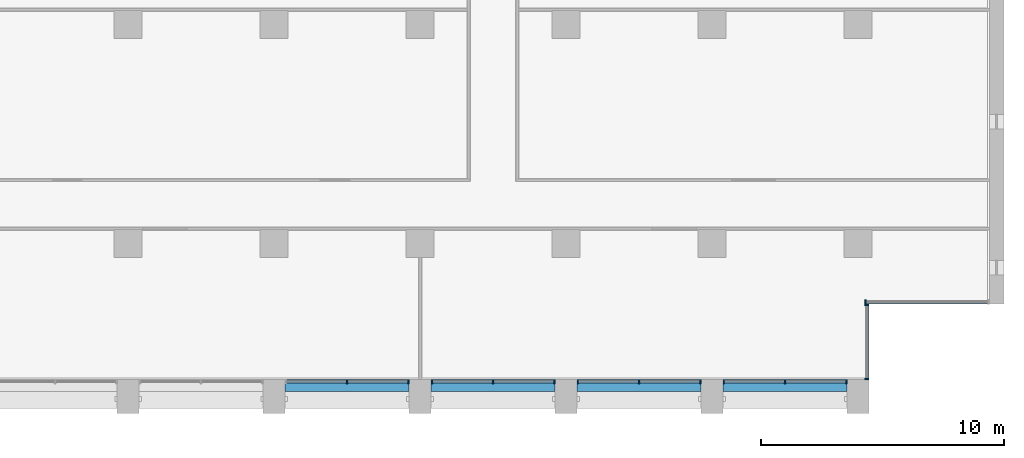
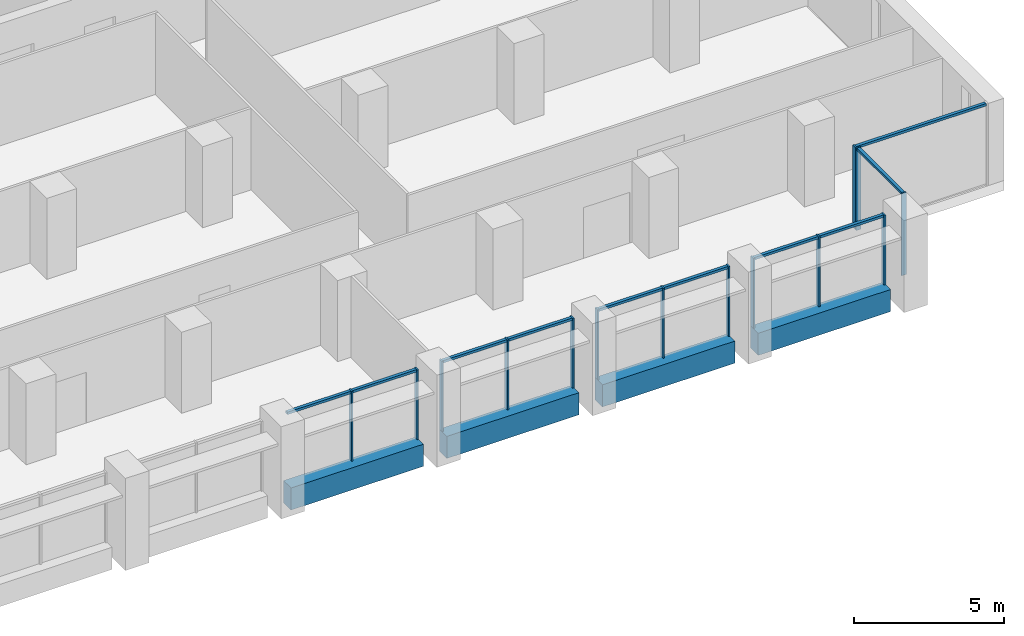
# One storey, part 3 of 16: 24 members, 4 beams, 6 elements without a shape of their own.
"""IFC4 building model written with IfcOpenShell, lengths in metres."""

from ifc_helpers import new_model, si_unit, direction, frame, origin, origin_2d, place, context, subcontext, project, spatial, rectangle, extrude, material, material_profile, profile_set, type_object, element, aggregate, save


model = new_model("IFC4")

# Units and contexts
model_context = context("Model", 3, precision=1e-05, world=origin(), true_north=direction((0.0, 1.0)))
body_context = subcontext(model_context, "Body", "Model", "MODEL_VIEW")
ifc_project = project(units=[si_unit("LENGTHUNIT", "METRE"), si_unit("AREAUNIT", "SQUARE_METRE"), si_unit("VOLUMEUNIT", "CUBIC_METRE"), si_unit("PLANEANGLEUNIT", "RADIAN"), si_unit("MASSUNIT", "GRAM", prefix="KILO")], contexts=[model_context])

# Site, building, storey
site_placement = place(None, origin())
site = spatial("IfcSite", under=ifc_project, at=site_placement, CompositionType="ELEMENT")
building_placement = place(site_placement, origin())
building = spatial("IfcBuilding", under=site, at=building_placement, Name="Calvaro Tower", CompositionType="ELEMENT")
storey_placement = place(building_placement, frame((0.0, 0.0, 181.75)))
storey = spatial("IfcBuildingStorey", under=building, at=storey_placement, Name="L45", CompositionType="ELEMENT", Elevation=181.75)

# Curtain wall, members
ifc_material_1 = material(Name="Anodised aluminium", Category="aluminium")
curtain_wall_type = type_object("IfcCurtainWallType", Name="Office curtain wall, upper zone", PredefinedType="NOTDEFINED", material=ifc_material_1)
curtain_wall_1_placement = place(storey_placement, origin())
curtain_wall_1 = element("IfcCurtainWall", 1, at=curtain_wall_1_placement, inside=storey, type_object=curtain_wall_type, Name="CW3 south curtain wall", PredefinedType="NOTDEFINED")
ifc_material_2 = material(Name="Anodised aluminium", Category="aluminium")
ifc_material_profile_1 = material_profile(ifc_material_2, rectangle(XDim=0.179931640625, YDim=0.06005859375, at=origin_2d()), Name="Mullion S3 60 x 180")
ifc_profile_set_1 = profile_set([ifc_material_profile_1], Name="Anodised aluminium")
member_type_1 = type_object("IfcMemberType", Name="Mullion S3 60 x 180", PredefinedType="MULLION", material=ifc_profile_set_1)
member_1_placement = place(storey_placement, frame((45.0, 4.31005859375, 0.0), z_axis=(0.0, 0.0, 1.0), x_axis=(0.0, 1.0, 0.0)))
member_1 = element("IfcMember", 2, at=member_1_placement, type_object=member_type_1, Name="CW3 mullion 2", PredefinedType="MULLION", context=body_context, shape_type="SweptSolid", body=[
    extrude(rectangle(XDim=0.179931640625, YDim=0.06005859375, at=origin_2d()), origin(), (0.0, 0.0, 1.0), 2.85009765625),
])
member_2_placement = place(storey_placement, frame((47.52001953125, 4.31005859375, 0.0), z_axis=(0.0, 0.0, 1.0), x_axis=(0.0, 1.0, 0.0)))
member_2 = element("IfcMember", 3, at=member_2_placement, type_object=member_type_1, Name="CW3 mullion 3", PredefinedType="MULLION", context=body_context, shape_type="SweptSolid", body=[
    extrude(rectangle(XDim=0.179931640625, YDim=0.06005859375, at=origin_2d()), origin(), (0.0, 0.0, 1.0), 2.85009765625),
])

curtain_wall_2_placement = place(storey_placement, origin())
curtain_wall_2 = element("IfcCurtainWall", 4, at=curtain_wall_2_placement, inside=storey, type_object=curtain_wall_type, Name="CW3 south curtain wall", PredefinedType="NOTDEFINED")
member_3_placement = place(storey_placement, frame((48.47998046875, 4.31005859375, 0.0), z_axis=(0.0, 0.0, 1.0), x_axis=(0.0, 1.0, 0.0)))
member_3 = element("IfcMember", 5, at=member_3_placement, type_object=member_type_1, Name="CW3 mullion 1", PredefinedType="MULLION", context=body_context, shape_type="SweptSolid", body=[
    extrude(rectangle(XDim=0.179931640625, YDim=0.06005859375, at=origin_2d()), origin(), (0.0, 0.0, 1.0), 2.85009765625),
])
member_4_placement = place(storey_placement, frame((51.0, 4.31005859375, 0.0), z_axis=(0.0, 0.0, 1.0), x_axis=(0.0, 1.0, 0.0)))
member_4 = element("IfcMember", 6, at=member_4_placement, type_object=member_type_1, Name="CW3 mullion 2", PredefinedType="MULLION", context=body_context, shape_type="SweptSolid", body=[
    extrude(rectangle(XDim=0.179931640625, YDim=0.06005859375, at=origin_2d()), origin(), (0.0, 0.0, 1.0), 2.85009765625),
])
member_5_placement = place(storey_placement, frame((53.52001953125, 4.31005859375, 0.0), z_axis=(0.0, 0.0, 1.0), x_axis=(0.0, 1.0, 0.0)))
member_5 = element("IfcMember", 7, at=member_5_placement, type_object=member_type_1, Name="CW3 mullion 3", PredefinedType="MULLION", context=body_context, shape_type="SweptSolid", body=[
    extrude(rectangle(XDim=0.179931640625, YDim=0.06005859375, at=origin_2d()), origin(), (0.0, 0.0, 1.0), 2.85009765625),
])

curtain_wall_3_placement = place(storey_placement, origin())
curtain_wall_3 = element("IfcCurtainWall", 8, at=curtain_wall_3_placement, inside=storey, type_object=curtain_wall_type, Name="CW3 south curtain wall", PredefinedType="NOTDEFINED")
member_6_placement = place(storey_placement, frame((54.47998046875, 4.31005859375, 0.0), z_axis=(0.0, 0.0, 1.0), x_axis=(0.0, 1.0, 0.0)))
member_6 = element("IfcMember", 9, at=member_6_placement, type_object=member_type_1, Name="CW3 mullion 1", PredefinedType="MULLION", context=body_context, shape_type="SweptSolid", body=[
    extrude(rectangle(XDim=0.179931640625, YDim=0.06005859375, at=origin_2d()), origin(), (0.0, 0.0, 1.0), 2.85009765625),
])
member_7_placement = place(storey_placement, frame((57.0, 4.31005859375, 0.0), z_axis=(0.0, 0.0, 1.0), x_axis=(0.0, 1.0, 0.0)))
member_7 = element("IfcMember", 10, at=member_7_placement, type_object=member_type_1, Name="CW3 mullion 2", PredefinedType="MULLION", context=body_context, shape_type="SweptSolid", body=[
    extrude(rectangle(XDim=0.179931640625, YDim=0.06005859375, at=origin_2d()), origin(), (0.0, 0.0, 1.0), 2.85009765625),
])
member_8_placement = place(storey_placement, frame((59.52001953125, 4.31005859375, 0.0), z_axis=(0.0, 0.0, 1.0), x_axis=(0.0, 1.0, 0.0)))
member_8 = element("IfcMember", 11, at=member_8_placement, type_object=member_type_1, Name="CW3 mullion 3", PredefinedType="MULLION", context=body_context, shape_type="SweptSolid", body=[
    extrude(rectangle(XDim=0.179931640625, YDim=0.06005859375, at=origin_2d()), origin(), (0.0, 0.0, 1.0), 2.85009765625),
])

curtain_wall_4_placement = place(storey_placement, origin())
curtain_wall_4 = element("IfcCurtainWall", 12, at=curtain_wall_4_placement, inside=storey, type_object=curtain_wall_type, Name="CW3 south curtain wall", PredefinedType="NOTDEFINED")
member_9_placement = place(storey_placement, frame((60.47998046875, 4.31005859375, 0.0), z_axis=(0.0, 0.0, 1.0), x_axis=(0.0, 1.0, 0.0)))
member_9 = element("IfcMember", 13, at=member_9_placement, type_object=member_type_1, Name="CW3 mullion 1", PredefinedType="MULLION", context=body_context, shape_type="SweptSolid", body=[
    extrude(rectangle(XDim=0.179931640625, YDim=0.06005859375, at=origin_2d()), origin(), (0.0, 0.0, 1.0), 2.85009765625),
])
member_10_placement = place(storey_placement, frame((63.0, 4.31005859375, 0.0), z_axis=(0.0, 0.0, 1.0), x_axis=(0.0, 1.0, 0.0)))
member_10 = element("IfcMember", 14, at=member_10_placement, type_object=member_type_1, Name="CW3 mullion 2", PredefinedType="MULLION", context=body_context, shape_type="SweptSolid", body=[
    extrude(rectangle(XDim=0.179931640625, YDim=0.06005859375, at=origin_2d()), origin(), (0.0, 0.0, 1.0), 2.85009765625),
])
member_11_placement = place(storey_placement, frame((65.52001953125, 4.31005859375, 0.0), z_axis=(0.0, 0.0, 1.0), x_axis=(0.0, 1.0, 0.0)))
member_11 = element("IfcMember", 15, at=member_11_placement, type_object=member_type_1, Name="CW3 mullion 3", PredefinedType="MULLION", context=body_context, shape_type="SweptSolid", body=[
    extrude(rectangle(XDim=0.179931640625, YDim=0.06005859375, at=origin_2d()), origin(), (0.0, 0.0, 1.0), 2.85009765625),
])

curtain_wall_5_placement = place(storey_placement, origin())
curtain_wall_5 = element("IfcCurtainWall", 16, at=curtain_wall_5_placement, inside=storey, type_object=curtain_wall_type, Name="CW3 corner curtain wall", PredefinedType="NOTDEFINED")
member_12_placement = place(storey_placement, frame((66.360107421875, 4.429931640625, 0.0), z_axis=(0.0, 0.0, 1.0), x_axis=(-1.0, 0.0, 0.0)))
member_12 = element("IfcMember", 17, at=member_12_placement, type_object=member_type_1, Name="CW3 mullion 1", PredefinedType="MULLION", context=body_context, shape_type="SweptSolid", body=[
    extrude(rectangle(XDim=0.179931640625, YDim=0.06005859375, at=origin_2d()), origin(), (0.0, 0.0, 1.0), 3.35009765625),
])
member_13_placement = place(storey_placement, frame((66.360107421875, 7.469970703125, 0.0), z_axis=(0.0, 0.0, 1.0), x_axis=(-1.0, 0.0, 0.0)))
member_13 = element("IfcMember", 18, at=member_13_placement, type_object=member_type_1, Name="CW3 mullion 2", PredefinedType="MULLION", context=body_context, shape_type="SweptSolid", body=[
    extrude(rectangle(XDim=0.179931640625, YDim=0.06005859375, at=origin_2d()), origin(), (0.0, 0.0, 1.0), 3.35009765625),
])

# Curtain wall, member
curtain_wall_6_placement = place(storey_placement, origin())
curtain_wall_6 = element("IfcCurtainWall", 19, at=curtain_wall_6_placement, inside=storey, type_object=curtain_wall_type, Name="CW3 corner curtain wall", PredefinedType="NOTDEFINED")
member_14_placement = place(storey_placement, frame((66.300048828125, 7.590087890625, 0.0), z_axis=(0.0, 0.0, 1.0), x_axis=(0.0, 1.0, 0.0)))
member_14 = element("IfcMember", 20, at=member_14_placement, type_object=member_type_1, Name="CW3 mullion 1", PredefinedType="MULLION", context=body_context, shape_type="SweptSolid", body=[
    extrude(rectangle(XDim=0.179931640625, YDim=0.06005859375, at=origin_2d()), origin(), (0.0, 0.0, 1.0), 3.35009765625),
])

# Beams
ifc_material_3 = material(Name="Concrete C50/60 precast", Category="concrete")
ifc_material_profile_2 = material_profile(ifc_material_3, rectangle(XDim=0.5, YDim=0.89990234375, at=origin_2d()), Name="RC 500x900")
ifc_profile_set_2 = profile_set([ifc_material_profile_2], Name="Concrete C50/60 precast")
beam_type = type_object("IfcBeamType", Name="Spandrel beam 500x900 C50/60", PredefinedType="SPANDREL", material=ifc_profile_set_2)
for number, where, z_axis, x_axis, name in (
    (21, (42.449951171875, 4.14990234375, -0.449951171875), (1.0, 0.0, 0.0), (0.0, 1.0, 0.0), "Spandrel beam"),
    (22, (48.449951171875, 4.14990234375, -0.449951171875), (1.0, 0.0, 0.0), (0.0, 1.0, 0.0), "Spandrel beam"),
    (23, (54.449951171875, 4.14990234375, -0.449951171875), (1.0, 0.0, 0.0), (0.0, 1.0, 0.0), "Spandrel beam"),
    (24, (60.449951171875, 4.14990234375, -0.449951171875), (1.0, 0.0, 0.0), (0.0, 1.0, 0.0), "Spandrel beam"),
):
    element("IfcBeam", number, at=place(storey_placement, frame(where, z_axis=z_axis, x_axis=x_axis)), inside=storey, type_object=beam_type, Name=name, PredefinedType="SPANDREL", context=body_context, shape_type="SweptSolid", body=[
        extrude(rectangle(XDim=0.5, YDim=0.89990234375, at=origin_2d()), origin(), (0.0, 0.0, 1.0), 5.10009765625),
    ])

# Member
ifc_material_4 = material(Name="Anodised aluminium", Category="aluminium")
ifc_material_profile_3 = material_profile(ifc_material_4, rectangle(XDim=0.1201171875, YDim=0.10009765625, at=origin_2d()), Name="Transom S3 100 x 120")
ifc_profile_set_3 = profile_set([ifc_material_profile_3], Name="Anodised aluminium")
member_type_2 = type_object("IfcMemberType", Name="Transom S3 100 x 120", PredefinedType="USERDEFINED", material=ifc_profile_set_3)
member_15_placement = place(storey_placement, frame((42.510009765625, 4.31005859375, 2.800048828125), z_axis=(1.0, 0.0, 0.0), x_axis=(0.0, 1.0, 0.0)))
member_15 = element("IfcMember", 25, at=member_15_placement, type_object=member_type_2, Name="CW3 transom 1.1", ObjectType="TRANSOM", PredefinedType="USERDEFINED", context=body_context, shape_type="SweptSolid", body=[
    extrude(rectangle(XDim=0.1201171875, YDim=0.10009765625, at=origin_2d()), origin(), (0.0, 0.0, 1.0), 2.4599609375),
])

member_16_placement = place(storey_placement, frame((45.030029296875, 4.31005859375, 2.800048828125), z_axis=(1.0, 0.0, 0.0), x_axis=(0.0, 1.0, 0.0)))
member_16 = element("IfcMember", 26, at=member_16_placement, type_object=member_type_2, Name="CW3 transom 2.1", ObjectType="TRANSOM", PredefinedType="USERDEFINED", context=body_context, shape_type="SweptSolid", body=[
    extrude(rectangle(XDim=0.1201171875, YDim=0.10009765625, at=origin_2d()), origin(), (0.0, 0.0, 1.0), 2.4599609375),
])

aggregate(curtain_wall_1, [member_1, member_2, member_15, member_16])

member_17_placement = place(storey_placement, frame((48.510009765625, 4.31005859375, 2.800048828125), z_axis=(1.0, 0.0, 0.0), x_axis=(0.0, 1.0, 0.0)))
member_17 = element("IfcMember", 27, at=member_17_placement, type_object=member_type_2, Name="CW3 transom 1.1", ObjectType="TRANSOM", PredefinedType="USERDEFINED", context=body_context, shape_type="SweptSolid", body=[
    extrude(rectangle(XDim=0.1201171875, YDim=0.10009765625, at=origin_2d()), origin(), (0.0, 0.0, 1.0), 2.4599609375),
])

member_18_placement = place(storey_placement, frame((51.030029296875, 4.31005859375, 2.800048828125), z_axis=(1.0, 0.0, 0.0), x_axis=(0.0, 1.0, 0.0)))
member_18 = element("IfcMember", 28, at=member_18_placement, type_object=member_type_2, Name="CW3 transom 2.1", ObjectType="TRANSOM", PredefinedType="USERDEFINED", context=body_context, shape_type="SweptSolid", body=[
    extrude(rectangle(XDim=0.1201171875, YDim=0.10009765625, at=origin_2d()), origin(), (0.0, 0.0, 1.0), 2.4599609375),
])

aggregate(curtain_wall_2, [member_3, member_4, member_5, member_17, member_18])

member_19_placement = place(storey_placement, frame((54.510009765625, 4.31005859375, 2.800048828125), z_axis=(1.0, 0.0, 0.0), x_axis=(0.0, 1.0, 0.0)))
member_19 = element("IfcMember", 29, at=member_19_placement, type_object=member_type_2, Name="CW3 transom 1.1", ObjectType="TRANSOM", PredefinedType="USERDEFINED", context=body_context, shape_type="SweptSolid", body=[
    extrude(rectangle(XDim=0.1201171875, YDim=0.10009765625, at=origin_2d()), origin(), (0.0, 0.0, 1.0), 2.4599609375),
])

member_20_placement = place(storey_placement, frame((57.030029296875, 4.31005859375, 2.800048828125), z_axis=(1.0, 0.0, 0.0), x_axis=(0.0, 1.0, 0.0)))
member_20 = element("IfcMember", 30, at=member_20_placement, type_object=member_type_2, Name="CW3 transom 2.1", ObjectType="TRANSOM", PredefinedType="USERDEFINED", context=body_context, shape_type="SweptSolid", body=[
    extrude(rectangle(XDim=0.1201171875, YDim=0.10009765625, at=origin_2d()), origin(), (0.0, 0.0, 1.0), 2.4599609375),
])

aggregate(curtain_wall_3, [member_6, member_7, member_8, member_19, member_20])

member_21_placement = place(storey_placement, frame((60.510009765625, 4.31005859375, 2.800048828125), z_axis=(1.0, 0.0, 0.0), x_axis=(0.0, 1.0, 0.0)))
member_21 = element("IfcMember", 31, at=member_21_placement, type_object=member_type_2, Name="CW3 transom 1.1", ObjectType="TRANSOM", PredefinedType="USERDEFINED", context=body_context, shape_type="SweptSolid", body=[
    extrude(rectangle(XDim=0.1201171875, YDim=0.10009765625, at=origin_2d()), origin(), (0.0, 0.0, 1.0), 2.4599609375),
])

member_22_placement = place(storey_placement, frame((63.030029296875, 4.31005859375, 2.800048828125), z_axis=(1.0, 0.0, 0.0), x_axis=(0.0, 1.0, 0.0)))
member_22 = element("IfcMember", 32, at=member_22_placement, type_object=member_type_2, Name="CW3 transom 2.1", ObjectType="TRANSOM", PredefinedType="USERDEFINED", context=body_context, shape_type="SweptSolid", body=[
    extrude(rectangle(XDim=0.1201171875, YDim=0.10009765625, at=origin_2d()), origin(), (0.0, 0.0, 1.0), 2.4599609375),
])

aggregate(curtain_wall_4, [member_9, member_10, member_11, member_21, member_22])

member_23_placement = place(storey_placement, frame((66.360107421875, 4.4599609375, 3.300048828125), z_axis=(0.0, 1.0, 0.0), x_axis=(-1.0, 0.0, 0.0)))
member_23 = element("IfcMember", 33, at=member_23_placement, type_object=member_type_2, Name="CW3 transom 1.1", ObjectType="TRANSOM", PredefinedType="USERDEFINED", context=body_context, shape_type="SweptSolid", body=[
    extrude(rectangle(XDim=0.1201171875, YDim=0.10009765625, at=origin_2d()), origin(), (0.0, 0.0, 1.0), 2.97998046875),
])

aggregate(curtain_wall_5, [member_12, member_13, member_23])

member_24_placement = place(storey_placement, frame((66.330078125, 7.590087890625, 3.300048828125), z_axis=(1.0, 0.0, 0.0), x_axis=(0.0, 1.0, 0.0)))
member_24 = element("IfcMember", 34, at=member_24_placement, type_object=member_type_2, Name="CW3 transom 1.1", ObjectType="TRANSOM", PredefinedType="USERDEFINED", context=body_context, shape_type="SweptSolid", body=[
    extrude(rectangle(XDim=0.1201171875, YDim=0.10009765625, at=origin_2d()), origin(), (0.0, 0.0, 1.0), 5.010009765625),
])

aggregate(curtain_wall_6, [member_14, member_24])

save(model, "model.ifc")
